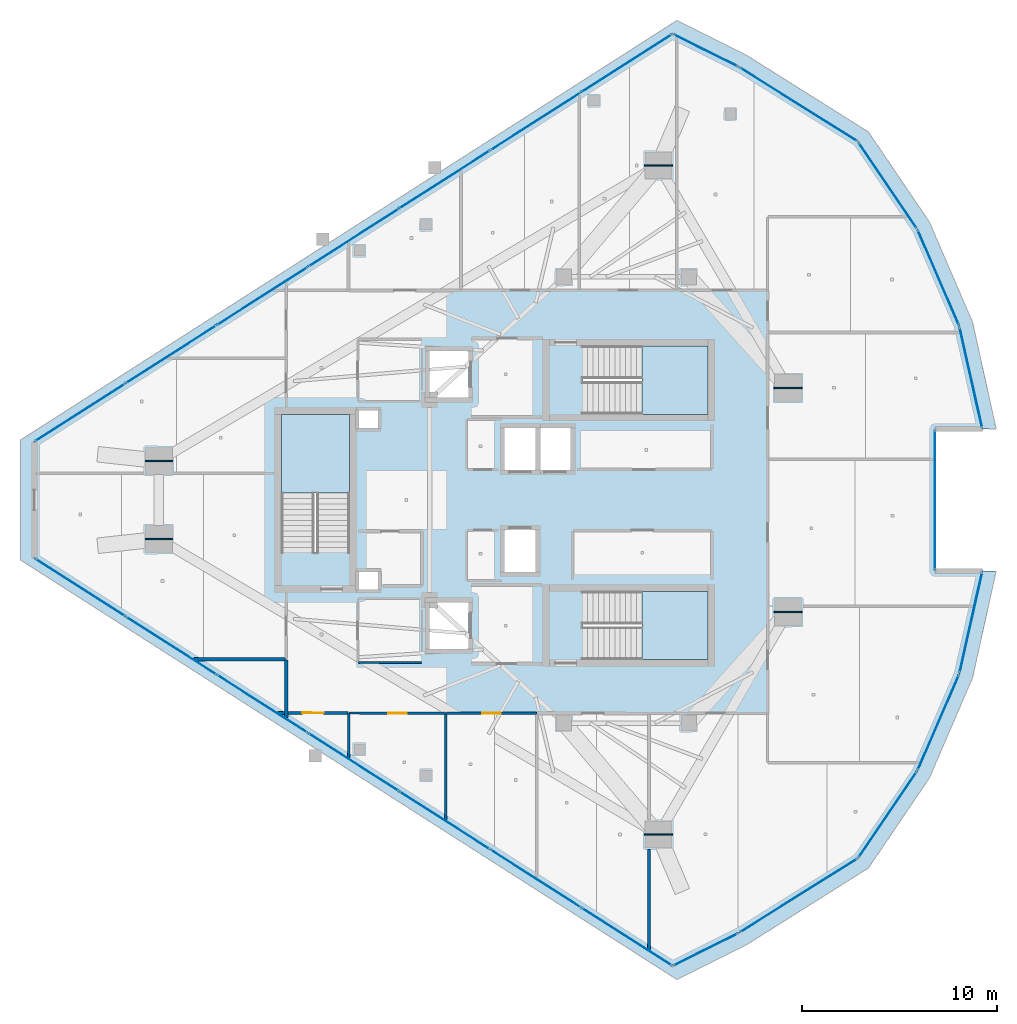
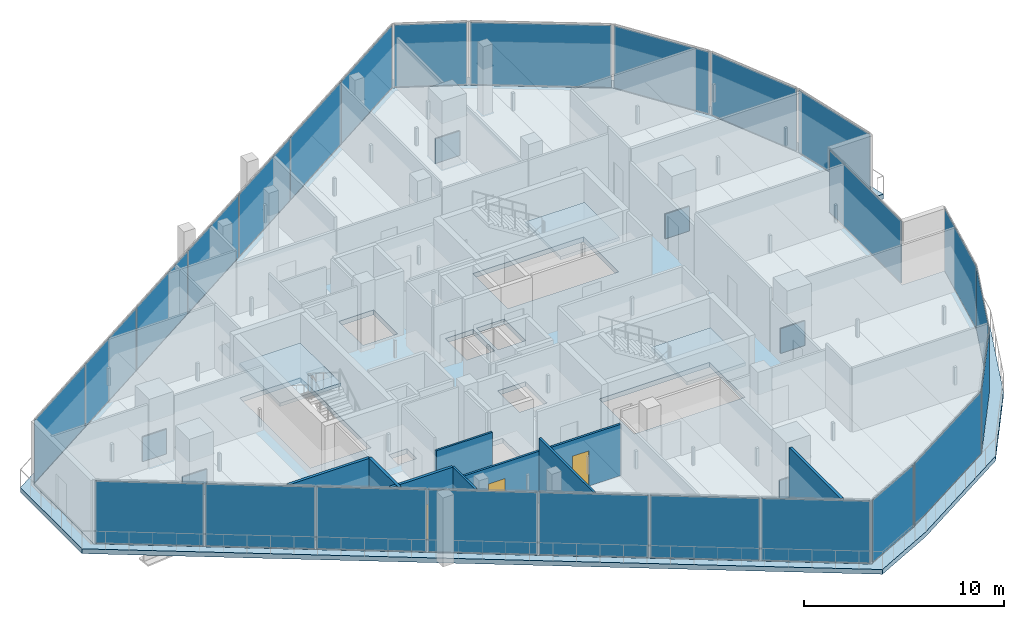
# One storey, part 19 of 29: 31 plates, 9 walls, 5 slabs, 3 doors, 3 openings, 16 elements without a shape of their own.
"""IFC4 building model written with IfcOpenShell, lengths in metres."""

from ifc_helpers import new_model, si_unit, direction, frame, frame_2d, origin, origin_2d, place, context, subcontext, project, spatial, polyline, rectangle, outline, extrude, material, layer, layer_set, type_object, element, fill, aggregate, save


model = new_model("IFC4")

# Units and contexts
model_context = context("Model", 3, precision=1e-05, world=origin(), true_north=direction((0.0, 1.0)))
body_context = subcontext(model_context, "Body", "Model", "MODEL_VIEW")
ifc_project = project(units=[si_unit("LENGTHUNIT", "METRE"), si_unit("AREAUNIT", "SQUARE_METRE"), si_unit("VOLUMEUNIT", "CUBIC_METRE"), si_unit("PLANEANGLEUNIT", "RADIAN"), si_unit("MASSUNIT", "GRAM", prefix="KILO")], contexts=[model_context])

# Site, building, storey
site_placement = place(None, origin())
site = spatial("IfcSite", under=ifc_project, at=site_placement, CompositionType="ELEMENT")
building_placement = place(site_placement, origin())
building = spatial("IfcBuilding", under=site, at=building_placement, Name="Qorvath Tower", CompositionType="ELEMENT")
storey_placement = place(building_placement, frame((0.0, 0.0, 285.0)))
storey = spatial("IfcBuildingStorey", under=building, at=storey_placement, Name="L66", CompositionType="ELEMENT", Elevation=285.0)

# Curtain wall, plates
ifc_material_1 = material(Name="Anodised aluminium and triple low-E glass", Category="aluminium")
ifc_layer_1 = layer(ifc_material_1, 0.179931640625)
ifc_layer_set_1 = layer_set([ifc_layer_1], Name="CW-SYS-4")
curtain_wall_type = type_object("IfcCurtainWallType", Name="CW-SYS-4", PredefinedType="NOTDEFINED", material=ifc_layer_set_1)
curtain_wall_1_placement = place(storey_placement, origin())
curtain_wall_1 = element("IfcCurtainWall", 1, at=curtain_wall_1_placement, inside=storey, type_object=curtain_wall_type, Name="Curtain Wall CW-4 CW-T-L66-2.1", PredefinedType="NOTDEFINED")
ifc_material_2 = material(Name="Acoustic laminated low-E glass", Category="glass")
ifc_layer_2 = layer(ifc_material_2, 0.0380859375)
ifc_layer_set_2 = layer_set([ifc_layer_2], Name="CWP-GLZ-38")
plate_type_1 = type_object("IfcPlateType", Name="CWP-GLZ-38", PredefinedType="CURTAIN_PANEL", material=ifc_layer_set_2)
plate_1_placement = place(storey_placement, frame((-48.427490234375, -4.496826171875, 0.06494140625), z_axis=(0.0, 0.0, 1.0), x_axis=(0.842604998283, -0.538532094557, 0.0)))
plate_1 = element("IfcPlate", 2, at=plate_1_placement, type_object=plate_type_1, Name="CW-4 panel 1.1", PredefinedType="CURTAIN_PANEL", context=body_context, shape_type="SweptSolid", body=[
    extrude(rectangle(XDim=5.441650390625, YDim=0.0380859375, at=origin_2d()), origin(), (0.0, 0.0, 1.0), 3.77978515625),
])
plate_2_placement = place(storey_placement, frame((-43.763427734375, -7.477783203125, 0.06494140625), z_axis=(0.0, 0.0, 1.0), x_axis=(0.842604998283, -0.538532094557, 0.0)))
plate_2 = element("IfcPlate", 3, at=plate_2_placement, type_object=plate_type_1, Name="CW-4 panel 2.1", PredefinedType="CURTAIN_PANEL", context=body_context, shape_type="SweptSolid", body=[
    extrude(rectangle(XDim=5.47900390625, YDim=0.0380859375, at=origin_2d()), origin(), (0.0, 0.0, 1.0), 3.77978515625),
])
plate_3_placement = place(storey_placement, frame((-39.08349609375, -10.468994140625, 0.06494140625), z_axis=(0.0, 0.0, 1.0), x_axis=(0.842604998283, -0.538532094557, 0.0)))
plate_3 = element("IfcPlate", 4, at=plate_3_placement, type_object=plate_type_1, Name="CW-4 panel 3.1", PredefinedType="CURTAIN_PANEL", context=body_context, shape_type="SweptSolid", body=[
    extrude(rectangle(XDim=5.47900390625, YDim=0.0380859375, at=origin_2d()), origin(), (0.0, 0.0, 1.0), 3.77978515625),
])
plate_4_placement = place(storey_placement, frame((-34.403564453125, -13.4599609375, 0.06494140625), z_axis=(0.0, 0.0, 1.0), x_axis=(0.842604998283, -0.538532094557, 0.0)))
plate_4 = element("IfcPlate", 5, at=plate_4_placement, type_object=plate_type_1, Name="CW-4 panel 4.1", PredefinedType="CURTAIN_PANEL", context=body_context, shape_type="SweptSolid", body=[
    extrude(rectangle(XDim=5.47900390625, YDim=0.0380859375, at=origin_2d()), origin(), (0.0, 0.0, 1.0), 3.77978515625),
])
plate_5_placement = place(storey_placement, frame((-29.7236328125, -16.450927734375, 0.06494140625), z_axis=(0.0, 0.0, 1.0), x_axis=(0.842604998283, -0.538532094557, 0.0)))
plate_5 = element("IfcPlate", 6, at=plate_5_placement, type_object=plate_type_1, Name="CW-4 panel 5.1", PredefinedType="CURTAIN_PANEL", context=body_context, shape_type="SweptSolid", body=[
    extrude(rectangle(XDim=5.47900390625, YDim=0.0380859375, at=origin_2d()), origin(), (0.0, 0.0, 1.0), 3.77978515625),
])
plate_6_placement = place(storey_placement, frame((-25.043701171875, -19.442138671875, 0.06494140625), z_axis=(0.0, 0.0, 1.0), x_axis=(0.842604998283, -0.538532094557, 0.0)))
plate_6 = element("IfcPlate", 7, at=plate_6_placement, type_object=plate_type_1, Name="CW-4 panel 6.1", PredefinedType="CURTAIN_PANEL", context=body_context, shape_type="SweptSolid", body=[
    extrude(rectangle(XDim=5.47900390625, YDim=0.0380859375, at=origin_2d()), origin(), (0.0, 0.0, 1.0), 3.77978515625),
])
plate_7_placement = place(storey_placement, frame((-20.37939453125, -22.423095703125, 0.06494140625), z_axis=(0.0, 0.0, 1.0), x_axis=(0.842604998283, -0.538532094557, 0.0)))
plate_7 = element("IfcPlate", 8, at=plate_7_placement, type_object=plate_type_1, Name="CW-4 panel 7.1", PredefinedType="CURTAIN_PANEL", context=body_context, shape_type="SweptSolid", body=[
    extrude(rectangle(XDim=5.441650390625, YDim=0.0380859375, at=origin_2d()), origin(), (0.0, 0.0, 1.0), 3.77978515625),
])
aggregate(curtain_wall_1, [plate_1, plate_2, plate_3, plate_4, plate_5, plate_6, plate_7])

# Curtain wall, plate
curtain_wall_2_placement = place(storey_placement, origin())
curtain_wall_2 = element("IfcCurtainWall", 9, at=curtain_wall_2_placement, inside=storey, type_object=curtain_wall_type, Name="Curtain Wall CW-4 CW-T-L66-3.1", PredefinedType="NOTDEFINED")
plate_8_placement = place(storey_placement, frame((-16.314697265625, -23.07421875, 0.06494140625), z_axis=(0.0, 0.0, 1.0), x_axis=(0.894416724234, 0.447234528419, 0.0)))
plate_8 = element("IfcPlate", 10, at=plate_8_placement, type_object=plate_type_1, Name="CW-4 panel 1.1", PredefinedType="CURTAIN_PANEL", context=body_context, shape_type="SweptSolid", body=[
    extrude(rectangle(XDim=3.671630859375, YDim=0.0380859375, at=origin_2d()), origin(), (0.0, 0.0, 1.0), 3.77978515625),
])
aggregate(curtain_wall_2, [plate_8])

curtain_wall_3_placement = place(storey_placement, origin())
curtain_wall_3 = element("IfcCurtainWall", 11, at=curtain_wall_3_placement, inside=storey, type_object=curtain_wall_type, Name="Curtain Wall CW-4 CW-T-L66-4.1", PredefinedType="NOTDEFINED")
plate_9_placement = place(storey_placement, frame((-11.55126953125, -20.303466796875, 0.06494140625), z_axis=(0.0, 0.0, 1.0), x_axis=(0.847108942168, 0.531419269597, 0.0)))
plate_9 = element("IfcPlate", 12, at=plate_9_placement, type_object=plate_type_1, Name="CW-4 panel 1.1", PredefinedType="CURTAIN_PANEL", context=body_context, shape_type="SweptSolid", body=[
    extrude(rectangle(XDim=7.060791015625, YDim=0.0380859375, at=origin_2d()), origin(), (0.0, 0.0, 1.0), 3.77978515625),
])
aggregate(curtain_wall_3, [plate_9])

curtain_wall_4_placement = place(storey_placement, origin())
curtain_wall_4 = element("IfcCurtainWall", 13, at=curtain_wall_4_placement, inside=storey, type_object=curtain_wall_type, Name="Curtain Wall CW-4 CW-T-L66-5.1", PredefinedType="NOTDEFINED")
plate_10_placement = place(storey_placement, frame((-6.9755859375, -16.14794921875, 0.06494140625), z_axis=(0.0, 0.0, 1.0), x_axis=(0.561940732999, 0.827177497637, 0.0)))
plate_10 = element("IfcPlate", 14, at=plate_10_placement, type_object=plate_type_1, Name="CW-4 panel 1.1", PredefinedType="CURTAIN_PANEL", context=body_context, shape_type="SweptSolid", body=[
    extrude(rectangle(XDim=5.26513671875, YDim=0.0380859375, at=origin_2d()), origin(), (0.0, 0.0, 1.0), 3.77978515625),
])
aggregate(curtain_wall_4, [plate_10])

curtain_wall_5_placement = place(storey_placement, origin())
curtain_wall_5 = element("IfcCurtainWall", 15, at=curtain_wall_5_placement, inside=storey, type_object=curtain_wall_type, Name="Curtain Wall CW-4 CW-T-L66-6.1", PredefinedType="NOTDEFINED")
plate_11_placement = place(storey_placement, frame((-4.377685546875, -11.423583984375, 0.06494140625), z_axis=(0.0, 0.0, 1.0), x_axis=(0.397508970599, 0.917598288083, 0.0)))
plate_11 = element("IfcPlate", 16, at=plate_11_placement, type_object=plate_type_1, Name="CW-4 panel 1.1", PredefinedType="CURTAIN_PANEL", context=body_context, shape_type="SweptSolid", body=[
    extrude(rectangle(XDim=5.26513671875, YDim=0.0380859375, at=origin_2d()), origin(), (0.0, 0.0, 1.0), 3.77978515625),
])
aggregate(curtain_wall_5, [plate_11])

curtain_wall_6_placement = place(storey_placement, origin())
curtain_wall_6 = element("IfcCurtainWall", 17, at=curtain_wall_6_placement, inside=storey, type_object=curtain_wall_type, Name="Curtain Wall CW-4 CW-T-L66-7.1", PredefinedType="NOTDEFINED")
plate_12_placement = place(storey_placement, frame((-2.7080078125, -6.297607421875, 0.06494140625), z_axis=(0.0, 0.0, 1.0), x_axis=(0.219166789554, 0.975687408116, 0.0)))
plate_12 = element("IfcPlate", 18, at=plate_12_placement, type_object=plate_type_1, Name="CW-4 panel 1.1", PredefinedType="CURTAIN_PANEL", context=body_context, shape_type="SweptSolid", body=[
    extrude(rectangle(XDim=5.26513671875, YDim=0.0380859375, at=origin_2d()), origin(), (0.0, 0.0, 1.0), 3.77978515625),
])
aggregate(curtain_wall_6, [plate_12])

curtain_wall_7_placement = place(storey_placement, origin())
curtain_wall_7 = element("IfcCurtainWall", 19, at=curtain_wall_7_placement, inside=storey, type_object=curtain_wall_type, Name="Curtain Wall CW-4 CW-T-L66-9.1", PredefinedType="NOTDEFINED")
plate_13_placement = place(storey_placement, frame((-4.552001953125, 0.0, 0.06494140625), z_axis=(0.0, 0.0, 1.0), x_axis=(0.0, 1.0, 0.0)))
plate_13 = element("IfcPlate", 20, at=plate_13_placement, type_object=plate_type_1, Name="CW-4 panel 1.1", PredefinedType="CURTAIN_PANEL", context=body_context, shape_type="SweptSolid", body=[
    extrude(rectangle(XDim=7.16162109375, YDim=0.0380859375, at=origin_2d()), origin(), (0.0, 0.0, 1.0), 3.77978515625),
])
aggregate(curtain_wall_7, [plate_13])

curtain_wall_8_placement = place(storey_placement, origin())
curtain_wall_8 = element("IfcCurtainWall", 21, at=curtain_wall_8_placement, inside=storey, type_object=curtain_wall_type, Name="Curtain Wall CW-4 CW-T-L66-11.1", PredefinedType="NOTDEFINED")
plate_14_placement = place(storey_placement, frame((-2.7080078125, 6.297607421875, 0.06494140625), z_axis=(0.0, 0.0, 1.0), x_axis=(-0.219166789554, 0.975687408116, 0.0)))
plate_14 = element("IfcPlate", 22, at=plate_14_placement, type_object=plate_type_1, Name="CW-4 panel 1.1", PredefinedType="CURTAIN_PANEL", context=body_context, shape_type="SweptSolid", body=[
    extrude(rectangle(XDim=5.26513671875, YDim=0.0380859375, at=origin_2d()), origin(), (0.0, 0.0, 1.0), 3.77978515625),
])
aggregate(curtain_wall_8, [plate_14])

curtain_wall_9_placement = place(storey_placement, origin())
curtain_wall_9 = element("IfcCurtainWall", 23, at=curtain_wall_9_placement, inside=storey, type_object=curtain_wall_type, Name="Curtain Wall CW-4 CW-T-L66-12.1", PredefinedType="NOTDEFINED")
plate_15_placement = place(storey_placement, frame((-4.377685546875, 11.423583984375, 0.06494140625), z_axis=(0.0, 0.0, 1.0), x_axis=(-0.397508970599, 0.917598288083, 0.0)))
plate_15 = element("IfcPlate", 24, at=plate_15_placement, type_object=plate_type_1, Name="CW-4 panel 1.1", PredefinedType="CURTAIN_PANEL", context=body_context, shape_type="SweptSolid", body=[
    extrude(rectangle(XDim=5.26513671875, YDim=0.0380859375, at=origin_2d()), origin(), (0.0, 0.0, 1.0), 3.77978515625),
])
aggregate(curtain_wall_9, [plate_15])

curtain_wall_10_placement = place(storey_placement, origin())
curtain_wall_10 = element("IfcCurtainWall", 25, at=curtain_wall_10_placement, inside=storey, type_object=curtain_wall_type, Name="Curtain Wall CW-4 CW-T-L66-13.1", PredefinedType="NOTDEFINED")
plate_16_placement = place(storey_placement, frame((-6.9755859375, 16.14794921875, 0.06494140625), z_axis=(0.0, 0.0, 1.0), x_axis=(-0.561940732999, 0.827177497637, 0.0)))
plate_16 = element("IfcPlate", 26, at=plate_16_placement, type_object=plate_type_1, Name="CW-4 panel 1.1", PredefinedType="CURTAIN_PANEL", context=body_context, shape_type="SweptSolid", body=[
    extrude(rectangle(XDim=5.26513671875, YDim=0.0380859375, at=origin_2d()), origin(), (0.0, 0.0, 1.0), 3.77978515625),
])
aggregate(curtain_wall_10, [plate_16])

curtain_wall_11_placement = place(storey_placement, origin())
curtain_wall_11 = element("IfcCurtainWall", 27, at=curtain_wall_11_placement, inside=storey, type_object=curtain_wall_type, Name="Curtain Wall CW-4 CW-T-L66-14.1", PredefinedType="NOTDEFINED")
plate_17_placement = place(storey_placement, frame((-11.55126953125, 20.303466796875, 0.06494140625), z_axis=(0.0, 0.0, 1.0), x_axis=(-0.847108942168, 0.531419269597, 0.0)))
plate_17 = element("IfcPlate", 28, at=plate_17_placement, type_object=plate_type_1, Name="CW-4 panel 1.1", PredefinedType="CURTAIN_PANEL", context=body_context, shape_type="SweptSolid", body=[
    extrude(rectangle(XDim=7.060791015625, YDim=0.0380859375, at=origin_2d()), origin(), (0.0, 0.0, 1.0), 3.77978515625),
])
aggregate(curtain_wall_11, [plate_17])

curtain_wall_12_placement = place(storey_placement, origin())
curtain_wall_12 = element("IfcCurtainWall", 29, at=curtain_wall_12_placement, inside=storey, type_object=curtain_wall_type, Name="Curtain Wall CW-4 CW-T-L66-15.1", PredefinedType="NOTDEFINED")
plate_18_placement = place(storey_placement, frame((-16.314697265625, 23.07421875, 0.06494140625), z_axis=(0.0, 0.0, 1.0), x_axis=(-0.894416724234, 0.447234528419, 0.0)))
plate_18 = element("IfcPlate", 30, at=plate_18_placement, type_object=plate_type_1, Name="CW-4 panel 1.1", PredefinedType="CURTAIN_PANEL", context=body_context, shape_type="SweptSolid", body=[
    extrude(rectangle(XDim=3.671630859375, YDim=0.0380859375, at=origin_2d()), origin(), (0.0, 0.0, 1.0), 3.77978515625),
])
aggregate(curtain_wall_12, [plate_18])

# Curtain wall, plates
curtain_wall_13_placement = place(storey_placement, origin())
curtain_wall_13 = element("IfcCurtainWall", 31, at=curtain_wall_13_placement, inside=storey, type_object=curtain_wall_type, Name="Curtain Wall CW-4 CW-T-L66-16.1", PredefinedType="NOTDEFINED")
plate_19_placement = place(storey_placement, frame((-20.37939453125, 22.423095703125, 0.06494140625), z_axis=(0.0, 0.0, 1.0), x_axis=(-0.842604998283, -0.538532094557, 0.0)))
plate_19 = element("IfcPlate", 32, at=plate_19_placement, type_object=plate_type_1, Name="CW-4 panel 1.1", PredefinedType="CURTAIN_PANEL", context=body_context, shape_type="SweptSolid", body=[
    extrude(rectangle(XDim=5.441650390625, YDim=0.0380859375, at=origin_2d()), origin(), (0.0, 0.0, 1.0), 3.77978515625),
])
plate_20_placement = place(storey_placement, frame((-25.043701171875, 19.442138671875, 0.06494140625), z_axis=(0.0, 0.0, 1.0), x_axis=(-0.842604998283, -0.538532094557, 0.0)))
plate_20 = element("IfcPlate", 33, at=plate_20_placement, type_object=plate_type_1, Name="CW-4 panel 2.1", PredefinedType="CURTAIN_PANEL", context=body_context, shape_type="SweptSolid", body=[
    extrude(rectangle(XDim=5.47900390625, YDim=0.0380859375, at=origin_2d()), origin(), (0.0, 0.0, 1.0), 3.77978515625),
])
plate_21_placement = place(storey_placement, frame((-29.7236328125, 16.450927734375, 0.06494140625), z_axis=(0.0, 0.0, 1.0), x_axis=(-0.842604998283, -0.538532094557, 0.0)))
plate_21 = element("IfcPlate", 34, at=plate_21_placement, type_object=plate_type_1, Name="CW-4 panel 3.1", PredefinedType="CURTAIN_PANEL", context=body_context, shape_type="SweptSolid", body=[
    extrude(rectangle(XDim=5.47900390625, YDim=0.0380859375, at=origin_2d()), origin(), (0.0, 0.0, 1.0), 3.77978515625),
])
plate_22_placement = place(storey_placement, frame((-34.403564453125, 13.4599609375, 0.06494140625), z_axis=(0.0, 0.0, 1.0), x_axis=(-0.842604998283, -0.538532094557, 0.0)))
plate_22 = element("IfcPlate", 35, at=plate_22_placement, type_object=plate_type_1, Name="CW-4 panel 4.1", PredefinedType="CURTAIN_PANEL", context=body_context, shape_type="SweptSolid", body=[
    extrude(rectangle(XDim=5.47900390625, YDim=0.0380859375, at=origin_2d()), origin(), (0.0, 0.0, 1.0), 3.77978515625),
])
plate_23_placement = place(storey_placement, frame((-39.08349609375, 10.468994140625, 0.06494140625), z_axis=(0.0, 0.0, 1.0), x_axis=(-0.842604998283, -0.538532094557, 0.0)))
plate_23 = element("IfcPlate", 36, at=plate_23_placement, type_object=plate_type_1, Name="CW-4 panel 5.1", PredefinedType="CURTAIN_PANEL", context=body_context, shape_type="SweptSolid", body=[
    extrude(rectangle(XDim=5.47900390625, YDim=0.0380859375, at=origin_2d()), origin(), (0.0, 0.0, 1.0), 3.77978515625),
])
plate_24_placement = place(storey_placement, frame((-43.763427734375, 7.477783203125, 0.06494140625), z_axis=(0.0, 0.0, 1.0), x_axis=(-0.842604998283, -0.538532094557, 0.0)))
plate_24 = element("IfcPlate", 37, at=plate_24_placement, type_object=plate_type_1, Name="CW-4 panel 6.1", PredefinedType="CURTAIN_PANEL", context=body_context, shape_type="SweptSolid", body=[
    extrude(rectangle(XDim=5.47900390625, YDim=0.0380859375, at=origin_2d()), origin(), (0.0, 0.0, 1.0), 3.77978515625),
])
plate_25_placement = place(storey_placement, frame((-48.427490234375, 4.496826171875, 0.06494140625), z_axis=(0.0, 0.0, 1.0), x_axis=(-0.842604998283, -0.538532094557, 0.0)))
plate_25 = element("IfcPlate", 38, at=plate_25_placement, type_object=plate_type_1, Name="CW-4 panel 7.1", PredefinedType="CURTAIN_PANEL", context=body_context, shape_type="SweptSolid", body=[
    extrude(rectangle(XDim=5.441650390625, YDim=0.0380859375, at=origin_2d()), origin(), (0.0, 0.0, 1.0), 3.77978515625),
])
aggregate(curtain_wall_13, [plate_19, plate_20, plate_21, plate_22, plate_23, plate_24, plate_25])

# Plates
ifc_material_3 = material(Name="Steel ASTM A572 Grade 50", Category="steel")
ifc_layer_3 = layer(ifc_material_3, 0.070068359375)
ifc_layer_set_3 = layer_set([ifc_layer_3], Name="PL-KN1")
plate_type_2 = type_object("IfcPlateType", Name="PL-KN1", PredefinedType="USERDEFINED", material=ifc_layer_set_3)
for number, where, z_axis, x_axis, name in (
    (39, (-44.402587890625, 2.007568359375, 0.0), (0.0, 0.0, 1.0), (1.0, 0.0, 0.0), "L66 Inward-Lean Kink Diaphragm Plate MC1"),
    (40, (-44.402587890625, -2.007568359375, 0.0), (0.0, 0.0, 1.0), (1.0, 0.0, 0.0), "L66 Inward-Lean Kink Diaphragm Plate MC2"),
    (41, (-18.75048828125, -17.175537109375, 0.0), (0.0, 0.0, 1.0), (1.0, 0.0, 0.0), "L66 Inward-Lean Kink Diaphragm Plate MC3"),
    (42, (-12.0966796875, -5.7578125, 0.0), (0.0, 0.0, 1.0), (1.0, 0.0, 0.0), "L66 Inward-Lean Kink Diaphragm Plate MC4"),
    (43, (-12.0966796875, 5.7578125, 0.0), (0.0, 0.0, 1.0), (1.0, 0.0, 0.0), "L66 Inward-Lean Kink Diaphragm Plate MC5"),
    (44, (-18.75048828125, 17.175537109375, 0.0), (0.0, 0.0, 1.0), (1.0, 0.0, 0.0), "L66 Inward-Lean Kink Diaphragm Plate MC6"),
):
    element("IfcPlate", number, at=place(storey_placement, frame(where, z_axis=z_axis, x_axis=x_axis)), inside=storey, type_object=plate_type_2, Name=name, ObjectType="GUSSET", PredefinedType="USERDEFINED", context=body_context, shape_type="SweptSolid", body=[
        extrude(rectangle(XDim=1.39990234375, YDim=0.070068359375, at=origin_2d()), origin(), (0.0, 0.0, 1.0), 1.5),
    ])

# Slab
ifc_material_4 = material(Name="Concrete C50/60", Category="concrete")
ifc_layer_4 = layer(ifc_material_4, 0.2900390625)
ifc_layer_set_4 = layer_set([ifc_layer_4], Name="SL-EXEC-290")
slab_type_1 = type_object("IfcSlabType", Name="SL-EXEC-290", PredefinedType="FLOOR", material=ifc_layer_set_4)
slab_1_placement = place(storey_placement, frame((0.0, 0.0, -0.2900390625)))
element("IfcSlab", 45, at=slab_1_placement, inside=storey, type_object=slab_type_1, Name="Tower L66 Interior Floor Slab", PredefinedType="FLOOR", context=body_context, shape_type="SweptSolid", body=[
    extrude(outline(polyline([(-50.783203125, 2.9912109375), (-50.783203125, -2.9912109375), (-18.023681640625, -23.9287109375), (-14.60546875, -22.219482421875), (-8.4970703125, -18.387451171875), (-5.4541015625, -13.908203125), (-3.301513671875, -8.939208984375), (-2.11474609375, -3.65576171875), (-4.552001953125, -3.65576171875), (-4.552001953125, 3.65576171875), (-2.11474609375, 3.65576171875), (-3.301513671875, 8.939208984375), (-5.4541015625, 13.908203125), (-8.4970703125, 18.387451171875), (-14.60546875, 22.219482421875), (-18.023681640625, 23.9287109375), (-50.783203125, 2.9912109375)]), holes=[polyline([(-16.2451171875, -8.199951171875), (-22.625, -8.199951171875), (-22.625, -4.68994140625), (-16.2451171875, -4.68994140625), (-16.2451171875, -8.199951171875)]), polyline([(-22.625, 4.39990234375), (-22.625, 7.909912109375), (-16.2451171875, 7.909912109375), (-16.2451171875, 4.39990234375), (-22.625, 4.39990234375)]), polyline([(-23.25, 1.550048828125), (-24.85009765625, 1.550048828125), (-24.85009765625, 3.699951171875), (-23.25, 3.699951171875), (-23.25, 1.550048828125)]), polyline([(-26.64990234375, -3.699951171875), (-26.64990234375, -1.550048828125), (-25.050048828125, -1.550048828125), (-25.050048828125, -3.699951171875), (-26.64990234375, -3.699951171875)]), polyline([(-25.050048828125, 1.550048828125), (-26.64990234375, 1.550048828125), (-26.64990234375, 3.699951171875), (-25.050048828125, 3.699951171875), (-25.050048828125, 1.550048828125)]), polyline([(-28.5, -7.64990234375), (-30.5, -7.64990234375), (-30.5, -5.25), (-28.5, -5.25), (-28.5, -7.64990234375)]), polyline([(-30.5, 5.25), (-30.5, 7.64990234375), (-28.5, 7.64990234375), (-28.5, 5.25), (-30.5, 5.25)]), polyline([(-33.10009765625, -4.6201171875), (-34.14990234375, -4.6201171875), (-34.14990234375, -3.64990234375), (-33.10009765625, -3.64990234375), (-33.10009765625, -4.6201171875)]), polyline([(-33.10009765625, 3.64990234375), (-34.14990234375, 3.64990234375), (-34.14990234375, 4.6201171875), (-33.10009765625, 4.6201171875), (-33.10009765625, 3.64990234375)]), polyline([(-34.60009765625, -2.675048828125), (-38.110107421875, -2.675048828125), (-38.110107421875, 4.35498046875), (-34.60009765625, 4.35498046875), (-34.60009765625, -2.675048828125)])]), origin(), (0.0, 0.0, 1.0), 0.2900390625),
])

# Stair, slab
ifc_material_5 = material(Name="Concrete C50/60", Category="concrete")
stair_type = type_object("IfcStairType", Name="ST-H420", PredefinedType="HALF_TURN_STAIR", material=ifc_material_5)
stair_1_placement = place(storey_placement, origin())
stair_1 = element("IfcStair", 46, at=stair_1_placement, inside=storey, type_object=stair_type, Name="L66 Tower Exit Stair 1", PredefinedType="HALF_TURN_STAIR")
ifc_material_6 = material(Name="Concrete C50/60", Category="concrete")
ifc_layer_5 = layer(ifc_material_6, 0.199951171875)
ifc_layer_set_5 = layer_set([ifc_layer_5], Name="SL-LND-200")
slab_type_2 = type_object("IfcSlabType", Name="SL-LND-200", PredefinedType="LANDING", material=ifc_layer_set_5)
slab_2_placement = place(storey_placement, frame((0.0, 0.0, 1.89990234375)))
slab_2 = element("IfcSlab", 47, at=slab_2_placement, type_object=slab_type_2, Name="TS1 landing 1", PredefinedType="LANDING", context=body_context, shape_type="SweptSolid", body=[
    extrude(outline(polyline([(-19.590087890625, 4.39990234375), (-16.199951171875, 4.39990234375), (-16.199951171875, 7.909912109375), (-19.590087890625, 7.909912109375), (-19.590087890625, 4.39990234375)])), origin(), (0.0, 0.0, 1.0), 0.2001953125),
])
aggregate(stair_1, [slab_2])

stair_2_placement = place(storey_placement, origin())
stair_2 = element("IfcStair", 48, at=stair_2_placement, inside=storey, type_object=stair_type, Name="L66 Tower Exit Stair 2", PredefinedType="HALF_TURN_STAIR")
slab_3_placement = place(storey_placement, frame((0.0, 0.0, 1.89990234375)))
slab_3 = element("IfcSlab", 49, at=slab_3_placement, type_object=slab_type_2, Name="TS2 landing 1", PredefinedType="LANDING", context=body_context, shape_type="SweptSolid", body=[
    extrude(outline(polyline([(-19.590087890625, -8.199951171875), (-16.199951171875, -8.199951171875), (-16.199951171875, -4.68994140625), (-19.590087890625, -4.68994140625), (-19.590087890625, -8.199951171875)])), origin(), (0.0, 0.0, 1.0), 0.2001953125),
])
aggregate(stair_2, [slab_3])

stair_3_placement = place(storey_placement, origin())
stair_3 = element("IfcStair", 50, at=stair_3_placement, inside=storey, type_object=stair_type, Name="L66 Tower Exit Stair 3", PredefinedType="HALF_TURN_STAIR")
slab_4_placement = place(storey_placement, frame((0.0, 0.0, 1.89990234375)))
slab_4 = element("IfcSlab", 51, at=slab_4_placement, type_object=slab_type_2, Name="TS3 landing 1", PredefinedType="LANDING", context=body_context, shape_type="SweptSolid", body=[
    extrude(outline(polyline([(-34.60009765625, 0.360107421875), (-34.60009765625, 4.39990234375), (-38.110107421875, 4.39990234375), (-38.110107421875, 0.360107421875), (-34.60009765625, 0.360107421875)])), origin(), (0.0, 0.0, 1.0), 0.2001953125),
])
aggregate(stair_3, [slab_4])

# Slab
ifc_material_7 = material(Name="Precast concrete C45/55", Category="concrete")
ifc_layer_6 = layer(ifc_material_7, 0.2900390625)
ifc_layer_set_6 = layer_set([ifc_layer_6], Name="SL-LOG-290")
slab_type_3 = type_object("IfcSlabType", Name="SL-LOG-290", PredefinedType="FLOOR", material=ifc_layer_set_6)
slab_5_placement = place(storey_placement, frame((0.0, 0.0, -0.2900390625)))
element("IfcSlab", 52, at=slab_5_placement, inside=storey, type_object=slab_type_3, Name="Tower L66 Perimeter Loggia and Terrace Slab", PredefinedType="FLOOR", context=body_context, shape_type="SweptSolid", body=[
    extrude(outline(polyline([(-2.11474609375, -3.65576171875), (-3.301513671875, -8.939208984375), (-5.4541015625, -13.908203125), (-8.4970703125, -18.387451171875), (-14.60546875, -22.219482421875), (-18.023681640625, -23.9287109375), (-50.783203125, -2.9912109375), (-50.783203125, 2.9912109375), (-18.023681640625, 23.9287109375), (-14.60546875, 22.219482421875), (-8.4970703125, 18.387451171875), (-5.4541015625, 13.908203125), (-3.301513671875, 8.939208984375), (-2.11474609375, 3.65576171875), (-1.410888671875, 3.65576171875), (-2.62060546875, 9.12158203125), (-4.834716796875, 14.263427734375), (-7.97412109375, 18.8984375), (-14.27587890625, 22.86181640625), (-17.793212890625, 24.62060546875), (-51.499755859375, 3.07763671875), (-51.499755859375, -3.07763671875), (-17.793212890625, -24.62060546875), (-14.27587890625, -22.86181640625), (-7.97412109375, -18.8984375), (-4.834716796875, -14.263427734375), (-2.62060546875, -9.12158203125), (-1.410888671875, -3.65576171875), (-2.11474609375, -3.65576171875)])), origin(), (0.0, 0.0, 1.0), 0.2900390625),
])

# Wall
ifc_material_8 = material(Name="Double acoustic gypsum board on steel studs", Category="steel")
ifc_layer_7 = layer(ifc_material_8, 0.159912109375)
ifc_layer_set_7 = layer_set([ifc_layer_7], Name="IW-ACOUSTIC-160")
wall_type_1 = type_object("IfcWallType", Name="IW-ACOUSTIC-160", PredefinedType="PARTITIONING", material=ifc_layer_set_7)
wall_1_placement = place(storey_placement, frame((-19.232666015625, -23.076171875, 0.0), z_axis=(0.0, 0.0, 1.0), x_axis=(0.0, 1.0, 0.0)))
element("IfcWall", 53, at=wall_1_placement, inside=storey, type_object=wall_type_1, Name="Interior Partition IW-T1-L66-043", PredefinedType="PARTITIONING", context=body_context, shape_type="SweptSolid", body=[
    extrude(rectangle(XDim=5.135498046875, YDim=0.159912109375, at=frame_2d((2.56787109375, 0.0))), origin(), (0.0, 0.0, 1.0), 3.909912109375),
])

# Wall, opening, door
wall_2_placement = place(storey_placement, frame((-38.278076171875, -10.932373046875, 0.0), z_axis=(0.0, 0.0, 1.0), x_axis=(0.99999948115, -0.001018675193, 0.0)))
wall_2 = element("IfcWall", 54, at=wall_2_placement, inside=storey, type_object=wall_type_1, Name="Interior Partition IW-T1-L66-055", PredefinedType="PARTITIONING", context=body_context, shape_type="SweptSolid", body=[
    extrude(rectangle(XDim=3.594970703125, YDim=0.159912109375, at=frame_2d((1.79736328125, 0.0))), origin(), (0.0, 0.0, 1.0), 3.909912109375),
])
opening_1_placement = place(wall_2_placement, frame((1.24755859375, 0.0, 0.0)))
opening_1 = element("IfcOpeningElement", 55, at=opening_1_placement, cuts=wall_2, Name="Opening D-T1-L66-20", PredefinedType="OPENING", context=body_context, shape_type="SweptSolid", body=[
    extrude(rectangle(XDim=1.10009765625, YDim=2.14990234375, at=frame_2d((0.550048828125, 1.074951171875))), frame((0.0, 0.08984375, 0.0), z_axis=(0.0, -1.0, 0.0), x_axis=(1.0, 0.0, 0.0)), (0.0, 0.0, 1.0), 0.179931640625),
])
ifc_material_9 = material(Name="Anodised aluminium acoustic framed glass", Category="aluminium")
door_type_1 = type_object("IfcDoorType", Name="D-03", OperationType="NOTDEFINED", PredefinedType="DOOR", material=ifc_material_9)
door_1_placement = place(opening_1_placement, origin())
door_1 = element("IfcDoor", 56, at=door_1_placement, inside=storey, type_object=door_type_1, Name="L66-13 Client Services Office Door D-T1-L66-20", OperationType="SINGLE_SWING_LEFT", OverallHeight=2.14990234375, OverallWidth=1.10009765625, PredefinedType="DOOR", context=body_context, shape_type="SweptSolid", body=[
    extrude(rectangle(XDim=1.10009765625, YDim=2.14990234375, at=frame_2d((0.550048828125, 1.074951171875))), frame((0.0, 0.02490234375, 0.0), z_axis=(0.0, -1.0, 0.0), x_axis=(1.0, 0.0, 0.0)), (0.0, 0.0, 1.0), 0.050048828125),
])
fill(opening_1, door_1)

# Walls
wall_3_placement = place(storey_placement, frame((-37.85791015625, -11.172119140625, 0.0), z_axis=(0.0, 0.0, 1.0), x_axis=(0.0, 1.0, 0.0)))
element("IfcWall", 57, at=wall_3_placement, inside=storey, type_object=wall_type_1, Name="Interior Partition IW-T1-L66-056", PredefinedType="PARTITIONING", context=body_context, shape_type="SweptSolid", body=[
    extrude(rectangle(XDim=2.9697265625, YDim=0.159912109375, at=frame_2d((1.48486328125, 0.0))), origin(), (0.0, 0.0, 1.0), 3.909912109375),
])
wall_4_placement = place(storey_placement, frame((-37.8828125, -8.177490234375, 0.0), z_axis=(0.0, 0.0, 1.0), x_axis=(-1.0, 0.0, 0.0)))
element("IfcWall", 58, at=wall_4_placement, inside=storey, type_object=wall_type_1, Name="Interior Partition IW-T1-L66-057", PredefinedType="PARTITIONING", context=body_context, shape_type="SweptSolid", body=[
    extrude(rectangle(XDim=4.705810546875, YDim=0.159912109375, at=frame_2d((2.35302734375, 0.0))), origin(), (0.0, 0.0, 1.0), 3.909912109375),
])

# Wall, opening, door
ifc_material_10 = material(Name="Gypsum board on metal studs with mineral wool", Category="gypsum")
ifc_layer_8 = layer(ifc_material_10, 0.125)
ifc_layer_set_8 = layer_set([ifc_layer_8], Name="IW-PART-125")
wall_type_2 = type_object("IfcWallType", Name="IW-PART-125", PredefinedType="PARTITIONING", material=ifc_layer_set_8)
wall_5_placement = place(storey_placement, frame((-29.6865234375, -10.941162109375, 0.0), z_axis=(0.0, 0.0, 1.0), x_axis=(-0.999999461107, 0.00103816436, 0.0)))
wall_5 = element("IfcWall", 59, at=wall_5_placement, inside=storey, type_object=wall_type_2, Name="Interior Partition IW-T1-L66-037", PredefinedType="PARTITIONING", context=body_context, shape_type="SweptSolid", body=[
    extrude(rectangle(XDim=4.9384765625, YDim=0.125, at=frame_2d((2.46923828125, 0.0))), origin(), (0.0, 0.0, 1.0), 3.1298828125),
])
opening_2_placement = place(wall_5_placement, frame((1.994140625, 0.0, 0.0)))
opening_2 = element("IfcOpeningElement", 60, at=opening_2_placement, cuts=wall_5, Name="Opening D-T1-L66-12", PredefinedType="OPENING", context=body_context, shape_type="SweptSolid", body=[
    extrude(rectangle(XDim=0.949951171875, YDim=2.14990234375, at=frame_2d((0.47509765625, 1.074951171875))), frame((0.0, 0.072509765625, 0.0), z_axis=(0.0, -1.0, 0.0), x_axis=(1.0, 0.0, 0.0)), (0.0, 0.0, 1.0), 0.14501953125),
])
ifc_material_11 = material(Name="Solid-core American white oak veneer", Category="wood")
door_type_2 = type_object("IfcDoorType", Name="D-01", OperationType="NOTDEFINED", PredefinedType="DOOR", material=ifc_material_11)
door_2_placement = place(opening_2_placement, origin())
door_2 = element("IfcDoor", 61, at=door_2_placement, inside=storey, type_object=door_type_2, Name="L66-05 Executive Partner Office Door D-T1-L66-12", OperationType="SINGLE_SWING_LEFT", OverallHeight=2.14990234375, OverallWidth=0.949951171875, PredefinedType="DOOR", context=body_context, shape_type="SweptSolid", body=[
    extrude(rectangle(XDim=0.949951171875, YDim=2.14990234375, at=frame_2d((0.47509765625, 1.074951171875))), frame((0.0, 0.02490234375, 0.0), z_axis=(0.0, -1.0, 0.0), x_axis=(1.0, 0.0, 0.0)), (0.0, 0.0, 1.0), 0.050048828125),
])
fill(opening_2, door_2)

# Walls
wall_6_placement = place(storey_placement, frame((-34.64990234375, -10.9609375, 0.0), z_axis=(0.0, 0.0, 1.0), x_axis=(0.0, -1.0, 0.0)))
element("IfcWall", 62, at=wall_6_placement, inside=storey, type_object=wall_type_2, Name="Interior Partition IW-T1-L66-038", PredefinedType="PARTITIONING", context=body_context, shape_type="SweptSolid", body=[
    extrude(rectangle(XDim=2.261474609375, YDim=0.125, at=frame_2d((1.130859375, 0.0))), origin(), (0.0, 0.0, 1.0), 3.909912109375),
])
wall_7_placement = place(storey_placement, frame((-29.66162109375, -16.41064453125, 0.0), z_axis=(0.0, 0.0, 1.0), x_axis=(0.0, 1.0, 0.0)))
element("IfcWall", 63, at=wall_7_placement, inside=storey, type_object=wall_type_2, Name="Interior Partition IW-T1-L66-039", PredefinedType="PARTITIONING", context=body_context, shape_type="SweptSolid", body=[
    extrude(rectangle(XDim=5.4443359375, YDim=0.125, at=frame_2d((2.72216796875, 0.0))), origin(), (0.0, 0.0, 1.0), 3.909912109375),
])

# Wall, opening, door
wall_8_placement = place(storey_placement, frame((-25.01904296875, -10.946044921875, 0.0), z_axis=(0.0, 0.0, 1.0), x_axis=(-0.999999438978, 0.001059265334, 0.0)))
wall_8 = element("IfcWall", 64, at=wall_8_placement, inside=storey, type_object=wall_type_2, Name="Interior Partition IW-T1-L66-040", PredefinedType="PARTITIONING", context=body_context, shape_type="SweptSolid", body=[
    extrude(rectangle(XDim=4.609619140625, YDim=0.125, at=frame_2d((2.3046875, 0.0))), origin(), (0.0, 0.0, 1.0), 3.1298828125),
])
opening_3_placement = place(wall_8_placement, frame((1.829833984375, 0.0, 0.0)))
opening_3 = element("IfcOpeningElement", 65, at=opening_3_placement, cuts=wall_8, Name="Opening D-T1-L66-13", PredefinedType="OPENING", context=body_context, shape_type="SweptSolid", body=[
    extrude(rectangle(XDim=0.949951171875, YDim=2.14990234375, at=frame_2d((0.47509765625, 1.074951171875))), frame((0.0, 0.072509765625, 0.0), z_axis=(0.0, -1.0, 0.0), x_axis=(1.0, 0.0, 0.0)), (0.0, 0.0, 1.0), 0.14501953125),
])
door_3_placement = place(opening_3_placement, origin())
door_3 = element("IfcDoor", 66, at=door_3_placement, inside=storey, type_object=door_type_2, Name="L66-06 Breakout Reading Alcove Door D-T1-L66-13", OperationType="SINGLE_SWING_RIGHT", OverallHeight=2.14990234375, OverallWidth=0.949951171875, PredefinedType="DOOR", context=body_context, shape_type="SweptSolid", body=[
    extrude(rectangle(XDim=0.949951171875, YDim=2.14990234375, at=frame_2d((0.47509765625, 1.074951171875))), frame((0.0, 0.02490234375, 0.0), z_axis=(0.0, -1.0, 0.0), x_axis=(1.0, 0.0, 0.0)), (0.0, 0.0, 1.0), 0.050048828125),
])
fill(opening_3, door_3)

# Wall
ifc_material_12 = material(Name="Moisture-resistant cement board on metal studs", Category="gypsum")
ifc_layer_9 = layer(ifc_material_12, 0.110107421875)
ifc_layer_set_9 = layer_set([ifc_layer_9], Name="IW-WC-110")
wall_type_3 = type_object("IfcWallType", Name="IW-WC-110", PredefinedType="PARTITIONING", material=ifc_layer_set_9)
wall_9_placement = place(storey_placement, frame((-34.15478515625, -8.35009765625, 0.0), z_axis=(0.0, 0.0, 1.0), x_axis=(1.0, 0.0, 0.0)))
element("IfcWall", 67, at=wall_9_placement, inside=storey, type_object=wall_type_3, Name="Interior Partition IW-T1-L66-009", PredefinedType="PARTITIONING", context=body_context, shape_type="SweptSolid", body=[
    extrude(rectangle(XDim=3.25, YDim=0.110107421875, at=frame_2d((1.625, 0.0))), origin(), (0.0, 0.0, 1.0), 3.1298828125),
])

save(model, "model.ifc")
